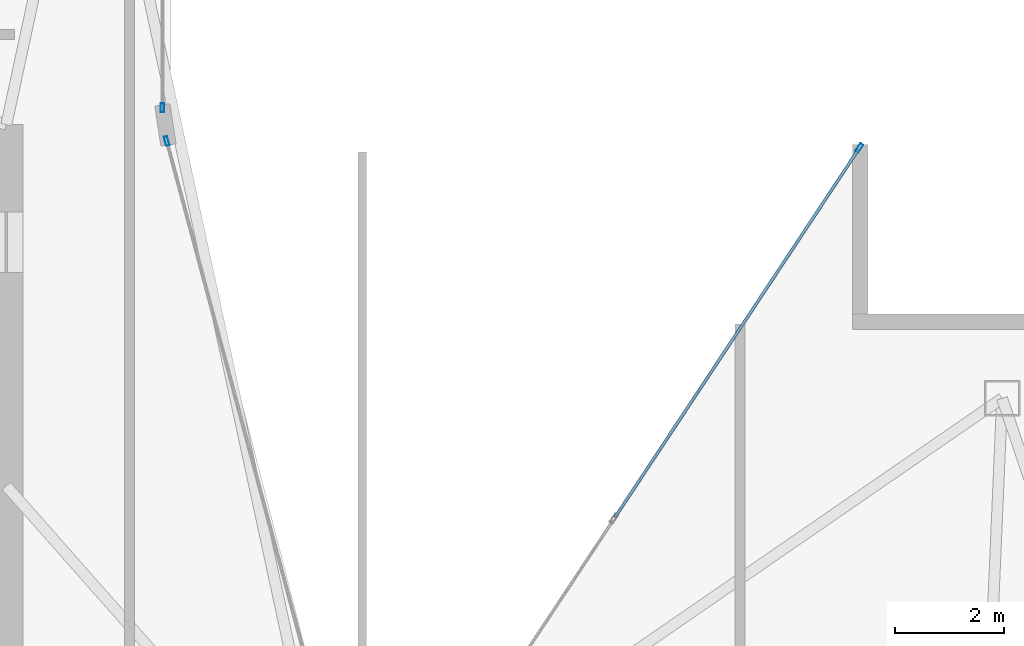
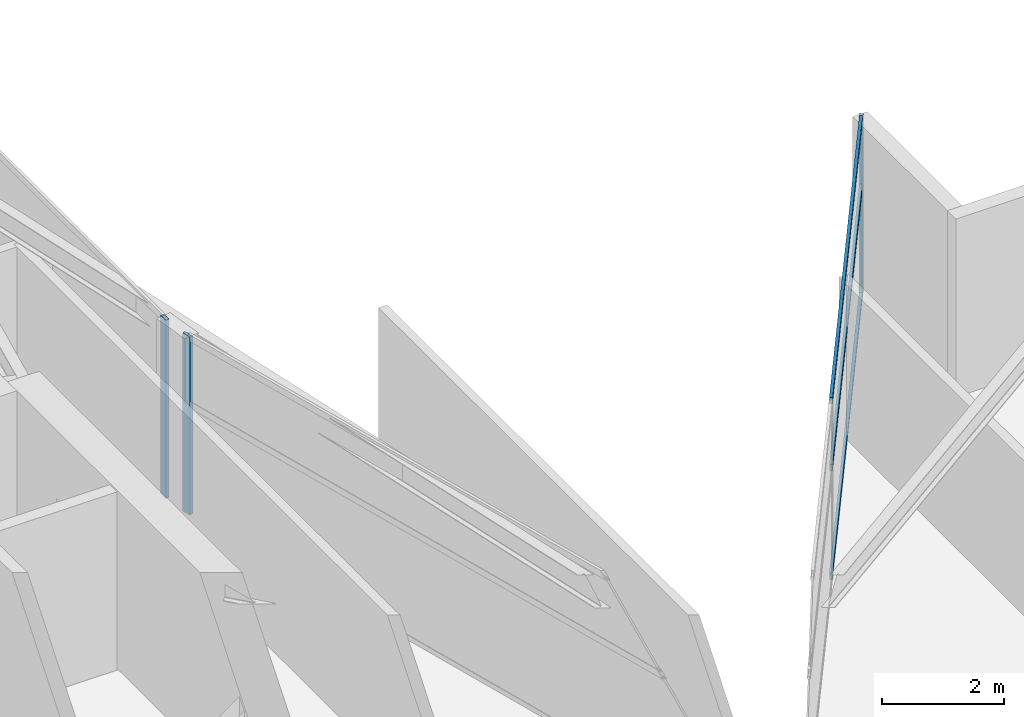
# One storey, part 19 of 28: 6 members, 3 elements without a shape of their own.
"""IFC4 building model written with IfcOpenShell, lengths in metres."""

from ifc_helpers import new_model, si_unit, direction, frame, origin, origin_2d, place, context, subcontext, project, spatial, hollow_rectangle, extrude, material, layer, layer_set, material_profile, profile_set, type_object, element, aggregate, save


model = new_model("IFC4")

# Units and contexts
model_context = context("Model", 3, precision=1e-05, world=origin(), true_north=direction((0.0, 1.0)))
body_context = subcontext(model_context, "Body", "Model", "MODEL_VIEW")
ifc_project = project(units=[si_unit("LENGTHUNIT", "METRE"), si_unit("AREAUNIT", "SQUARE_METRE"), si_unit("VOLUMEUNIT", "CUBIC_METRE"), si_unit("PLANEANGLEUNIT", "RADIAN"), si_unit("MASSUNIT", "GRAM", prefix="KILO")], contexts=[model_context])

# Site, building, storey
site_placement = place(None, origin())
site = spatial("IfcSite", under=ifc_project, at=site_placement, CompositionType="ELEMENT")
building_placement = place(site_placement, origin())
building = spatial("IfcBuilding", under=site, at=building_placement, Name="Calvorn Quay Hotel", CompositionType="ELEMENT")
storey_placement = place(building_placement, frame((0.0, 0.0, 267.300048828125)))
storey = spatial("IfcBuildingStorey", under=building, at=storey_placement, Name="L66", CompositionType="ELEMENT", Elevation=267.300048828125)

# Curtain wall, member
ifc_material_1 = material(Name="Champagne Bronze Anodised Aluminium and Low-E Glass", Category="aluminium")
ifc_layer = layer(ifc_material_1, 0.219970703125)
ifc_layer_set = layer_set([ifc_layer], Name="CW-SYS-Z4")
curtain_wall_type = type_object("IfcCurtainWallType", Name="CW-SYS-Z4", PredefinedType="NOTDEFINED", material=ifc_layer_set)
curtain_wall_1_placement = place(storey_placement, origin())
curtain_wall_1 = element("IfcCurtainWall", 1, at=curtain_wall_1_placement, inside=storey, type_object=curtain_wall_type, Name="Inner Court Curtain Wall L66-NE1", PredefinedType="NOTDEFINED")
ifc_material_2 = material(Name="Champagne Bronze Anodised Aluminium 6063-T6", Category="aluminium")
ifc_material_profile_1 = material_profile(ifc_material_2, hollow_rectangle(XDim=0.06494140625, YDim=0.169921875, WallThickness=0.00341796875, at=origin_2d()), Name="ALU-M170x65x3.5")
ifc_profile_set_1 = profile_set([ifc_material_profile_1], Name="Champagne Bronze Anodised Aluminium 6063-T6")
member_type_1 = type_object("IfcMemberType", Name="CW-SYS-Z4-MUL", PredefinedType="MULLION", material=ifc_profile_set_1)
member_1_placement = place(storey_placement, frame((30.58349609375, 37.97509765625, 0.0), z_axis=(0.0, 0.0, 1.0), x_axis=(0.833932205724, -0.551866900852, 0.0)))
member_1 = element("IfcMember", 2, at=member_1_placement, type_object=member_type_1, Name="CW-L66-NE1 mullion 1", PredefinedType="MULLION", context=body_context, shape_type="SweptSolid", body=[
    extrude(hollow_rectangle(XDim=0.06494140625, YDim=0.169921875, WallThickness=0.00341796875, at=origin_2d()), origin(), (0.0, 0.0, 1.0), 3.56005859375),
])

curtain_wall_2_placement = place(storey_placement, origin())
curtain_wall_2 = element("IfcCurtainWall", 3, at=curtain_wall_2_placement, inside=storey, type_object=curtain_wall_type, Name="Inner Court Curtain Wall L66-IC1", PredefinedType="NOTDEFINED")
member_2_placement = place(storey_placement, frame((17.9296875, 38.10107421875, 0.0), z_axis=(0.0, 0.0, 1.0), x_axis=(-0.96593652056, -0.25877913024, 0.0)))
member_2 = element("IfcMember", 4, at=member_2_placement, type_object=member_type_1, Name="CW-L66-IC1 mullion 2", PredefinedType="MULLION", context=body_context, shape_type="SweptSolid", body=[
    extrude(hollow_rectangle(XDim=0.06494140625, YDim=0.169921875, WallThickness=0.00341796875, at=origin_2d()), origin(), (0.0, 0.0, 1.0), 3.56005859375),
])
aggregate(curtain_wall_2, [member_2])

curtain_wall_3_placement = place(storey_placement, origin())
curtain_wall_3 = element("IfcCurtainWall", 5, at=curtain_wall_3_placement, inside=storey, type_object=curtain_wall_type, Name="Inner Court Curtain Wall L66-IC2", PredefinedType="NOTDEFINED")
member_3_placement = place(storey_placement, frame((17.85009765625, 38.7099609375, 0.0), z_axis=(0.0, 0.0, 1.0), x_axis=(-1.0, 0.0, 0.0)))
member_3 = element("IfcMember", 6, at=member_3_placement, type_object=member_type_1, Name="CW-L66-IC2 mullion 1", PredefinedType="MULLION", context=body_context, shape_type="SweptSolid", body=[
    extrude(hollow_rectangle(XDim=0.06494140625, YDim=0.169921875, WallThickness=0.00341796875, at=origin_2d()), origin(), (0.0, 0.0, 1.0), 3.56005859375),
])
aggregate(curtain_wall_3, [member_3])

# Member
ifc_material_3 = material(Name="Champagne Bronze Anodised Aluminium 6063-T6", Category="aluminium")
ifc_material_profile_2 = material_profile(ifc_material_3, hollow_rectangle(XDim=0.054931640625, YDim=0.1298828125, WallThickness=0.003173828125, at=origin_2d()), Name="ALU-T130x55x3.2")
ifc_profile_set_2 = profile_set([ifc_material_profile_2], Name="Champagne Bronze Anodised Aluminium 6063-T6")
member_type_2 = type_object("IfcMemberType", Name="CW-SYS-Z4-TRN", PredefinedType="USERDEFINED", material=ifc_profile_set_2)
member_4_placement = place(storey_placement, frame((30.56689453125, 37.949951171875, 0.030029296875), z_axis=(-0.551881453123, -0.833922575362, 0.0), x_axis=(0.833922575362, -0.551881453123, 0.0)))
member_4 = element("IfcMember", 7, at=member_4_placement, type_object=member_type_2, Name="CW-L66-NE1 transom 1.1", ObjectType="TRANSOM", PredefinedType="USERDEFINED", context=body_context, shape_type="SweptSolid", body=[
    extrude(hollow_rectangle(XDim=0.054931640625, YDim=0.1298828125, WallThickness=0.003173828125, at=origin_2d()), origin(), (0.0, 0.0, 1.0), 8.064208984375),
])

member_5_placement = place(storey_placement, frame((30.56689453125, 37.949951171875, 2.199951171875), z_axis=(-0.551881453123, -0.833922575362, 0.0), x_axis=(0.833922575362, -0.551881453123, 0.0)))
member_5 = element("IfcMember", 8, at=member_5_placement, type_object=member_type_2, Name="CW-L66-NE1 transom 1.2", ObjectType="TRANSOM", PredefinedType="USERDEFINED", context=body_context, shape_type="SweptSolid", body=[
    extrude(hollow_rectangle(XDim=0.054931640625, YDim=0.1298828125, WallThickness=0.003173828125, at=origin_2d()), origin(), (0.0, 0.0, 1.0), 8.064208984375),
])

member_6_placement = place(storey_placement, frame((30.56689453125, 37.949951171875, 3.530029296875), z_axis=(-0.551881453123, -0.833922575362, 0.0), x_axis=(0.833922575362, -0.551881453123, 0.0)))
member_6 = element("IfcMember", 9, at=member_6_placement, type_object=member_type_2, Name="CW-L66-NE1 transom 1.3", ObjectType="TRANSOM", PredefinedType="USERDEFINED", context=body_context, shape_type="SweptSolid", body=[
    extrude(hollow_rectangle(XDim=0.054931640625, YDim=0.1298828125, WallThickness=0.003173828125, at=origin_2d()), origin(), (0.0, 0.0, 1.0), 8.064208984375),
])

aggregate(curtain_wall_1, [member_1, member_4, member_5, member_6])

save(model, "model.ifc")
